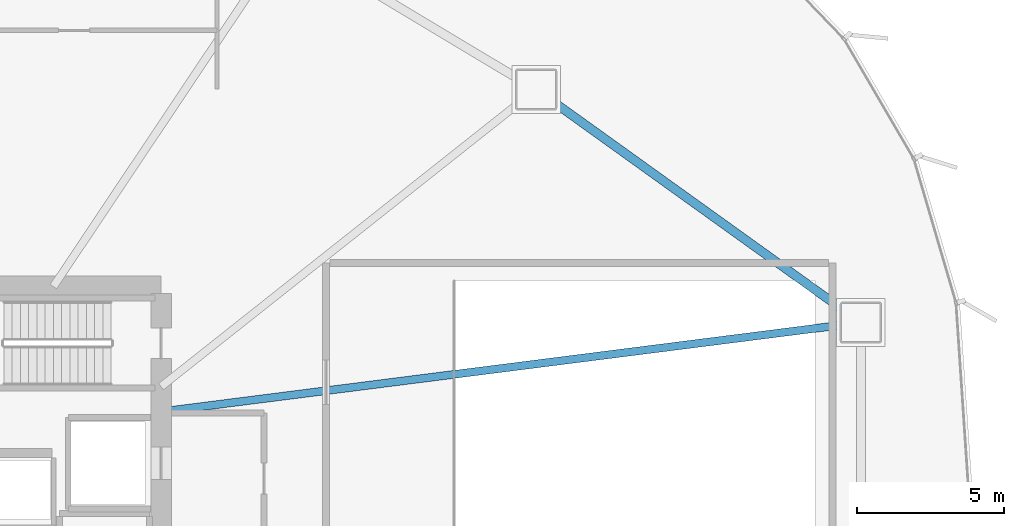
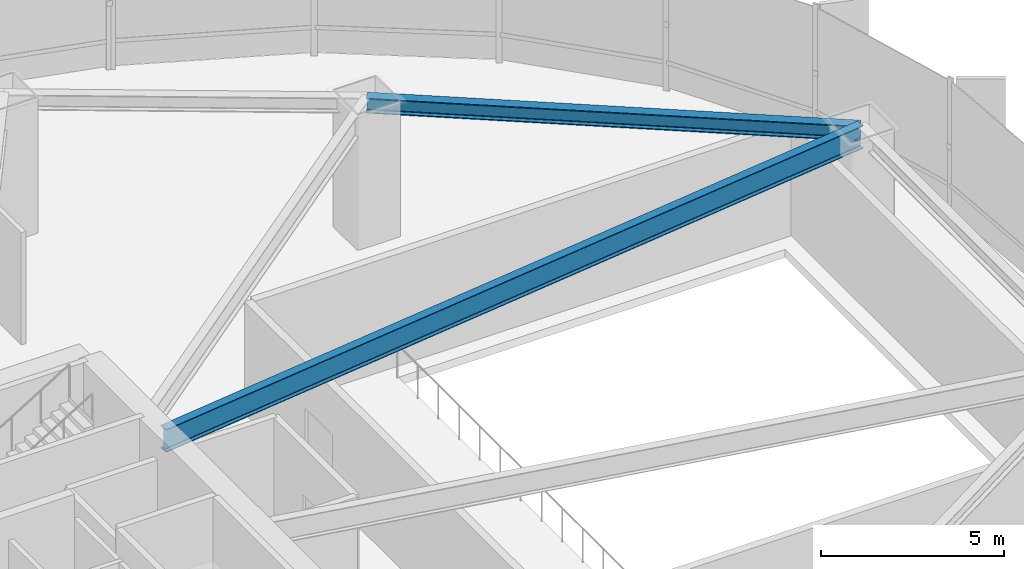
# One storey, part 20 of 34: 2 beams.
"""IFC4 building model written with IfcOpenShell, lengths in metres."""

from ifc_helpers import new_model, si_unit, direction, frame, origin, origin_2d, place, context, subcontext, project, spatial, i_section, extrude, source, transform, mapped, material, material_profile, profile_set, type_object, element, save


model = new_model("IFC4")

# Units and contexts
model_context = context("Model", 3, precision=1e-05, world=origin(), true_north=direction((0.0, 1.0)))
body_context = subcontext(model_context, "Body", "Model", "MODEL_VIEW")
ifc_project = project(units=[si_unit("LENGTHUNIT", "METRE"), si_unit("AREAUNIT", "SQUARE_METRE"), si_unit("VOLUMEUNIT", "CUBIC_METRE"), si_unit("PLANEANGLEUNIT", "RADIAN"), si_unit("MASSUNIT", "GRAM", prefix="KILO"), si_unit("THERMODYNAMICTEMPERATUREUNIT", "KELVIN")], contexts=[model_context])

# Site, building, storey
site_placement = place(None, origin())
site = spatial("IfcSite", under=ifc_project, at=site_placement, CompositionType="ELEMENT")
building_placement = place(site_placement, origin())
building = spatial("IfcBuilding", under=site, at=building_placement, Name="Kethvar Cultural Tower", CompositionType="ELEMENT")
storey_placement = place(building_placement, frame((0.0, 0.0, 14.800048828125)))
storey = spatial("IfcBuildingStorey", under=building, at=storey_placement, Name="L03", CompositionType="ELEMENT", Elevation=14.800048828125)

# Beams
ifc_material = material(Name="Steel S355J2", Category="steel")
ifc_material_profile_1 = material_profile(ifc_material, i_section(OverallWidth=0.300048828125, OverallDepth=0.5, WebThickness=0.014404296875, FlangeThickness=0.028076171875, FilletRadius=0.027099609375, at=origin_2d()), Name="Steel S355J2 — HEB500")
ifc_profile_set_1 = profile_set([ifc_material_profile_1], Name="Steel S355J2 — HEB500")
beam_type_1 = type_object("IfcBeamType", Name="BM-SP500", PredefinedType="SPANDREL", material=ifc_profile_set_1)
shared_shape_1 = source(origin(), body_context, "Body", "SweptSolid", [
    extrude(i_section(OverallWidth=0.300048828125, OverallDepth=0.5, WebThickness=0.014404296875, FlangeThickness=0.028076171875, FilletRadius=0.027099609375, at=origin_2d()), origin(), (0.0, 0.0, 1.0), 13.5712890625),
])
beam_1_placement = place(storey_placement, frame((79.362060546875, 34.277099609375, 4.27783203125), z_axis=(-0.812419874207, 0.583072849645, 0.0), x_axis=(-0.583072849645, -0.812419874207, 0.0)))
element("IfcBeam", 1, at=beam_1_placement, inside=storey, type_object=beam_type_1, Name="L03 Podium Ring Beam 01", PredefinedType="SPANDREL", context=body_context, shape_type="MappedRepresentation", body=[
    mapped(shared_shape_1, transform((0.0, 0.0, 0.0), scale=1.0)),
])
ifc_material_profile_2 = material_profile(ifc_material, i_section(OverallWidth=0.26708984375, OverallDepth=0.761962890625, WebThickness=0.014404296875, FlangeThickness=0.021484375, FilletRadius=0.01708984375, at=origin_2d()), Name="Steel S355J2 — IPE750x173")
ifc_profile_set_2 = profile_set([ifc_material_profile_2], Name="Steel S355J2 — IPE750x173")
beam_type_2 = type_object("IfcBeamType", Name="BM-IPE750", PredefinedType="BEAM", material=ifc_profile_set_2)
shared_shape_2 = source(origin(), body_context, "Body", "SweptSolid", [
    extrude(i_section(OverallWidth=0.26708984375, OverallDepth=0.761962890625, WebThickness=0.014404296875, FlangeThickness=0.021484375, FilletRadius=0.01708984375, at=origin_2d()), origin(), (0.0, 0.0, 1.0), 23.9541015625),
])
beam_2_placement = place(storey_placement, frame((55.60009765625, 31.25, 4.14697265625), z_axis=(0.991983004647, 0.126371351546, 0.0), x_axis=(-0.126371351546, 0.991983004647, 0.0)))
element("IfcBeam", 2, at=beam_2_placement, inside=storey, type_object=beam_type_2, Name="L03 Podium Radial Girder 01", PredefinedType="BEAM", context=body_context, shape_type="MappedRepresentation", body=[
    mapped(shared_shape_2, transform((0.0, 0.0, 0.0), scale=1.0)),
])

save(model, "model.ifc")
